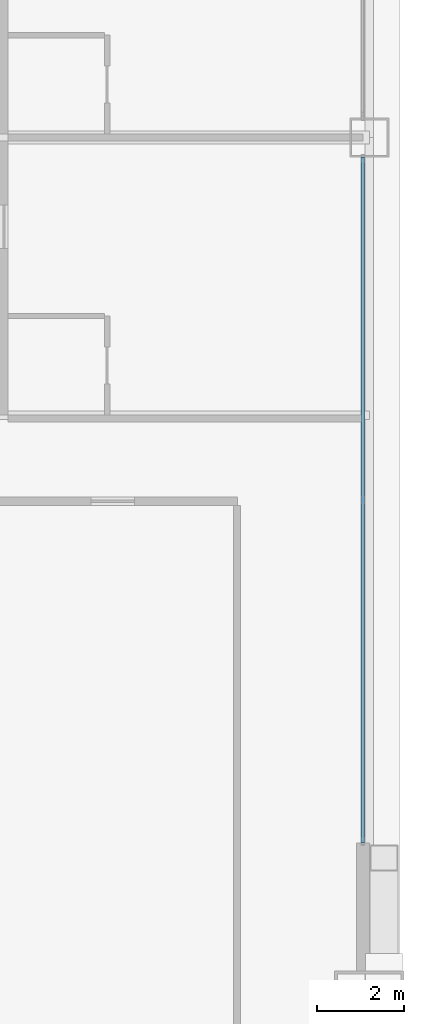
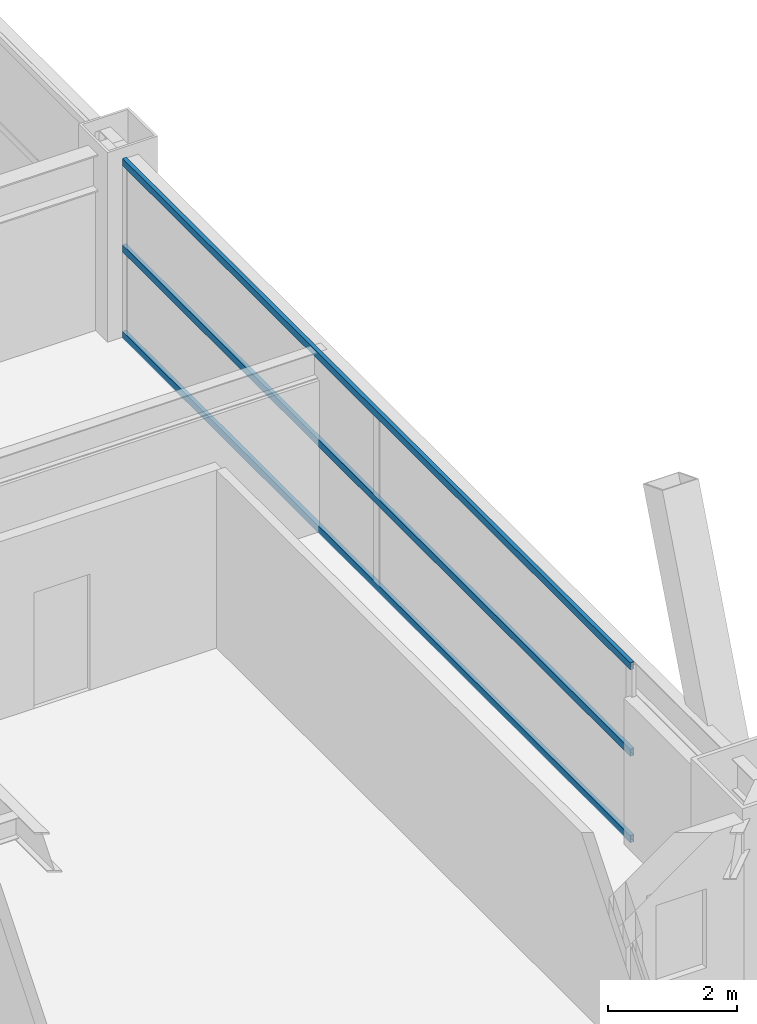
# One storey, part 19 of 41: 3 members, 1 element without a shape of its own.
"""IFC4 building model written with IfcOpenShell, lengths in metres."""

from ifc_helpers import new_model, si_unit, direction, frame, origin, origin_2d, place, context, subcontext, project, spatial, hollow_rectangle, extrude, source, transform, mapped, material, layer, layer_set, material_profile, profile_set, type_object, element, aggregate, save


model = new_model("IFC4")

# Units and contexts
model_context = context("Model", 3, precision=1e-05, world=origin(), true_north=direction((0.0, 1.0)))
body_context = subcontext(model_context, "Body", "Model", "MODEL_VIEW")
ifc_project = project(units=[si_unit("LENGTHUNIT", "METRE"), si_unit("AREAUNIT", "SQUARE_METRE"), si_unit("VOLUMEUNIT", "CUBIC_METRE"), si_unit("PLANEANGLEUNIT", "RADIAN"), si_unit("MASSUNIT", "GRAM", prefix="KILO"), si_unit("THERMODYNAMICTEMPERATUREUNIT", "KELVIN"), si_unit("POWERUNIT", "WATT")], contexts=[model_context])

# Site, building, storey
site_placement = place(None, origin())
site = spatial("IfcSite", under=ifc_project, at=site_placement, CompositionType="ELEMENT")
building_placement = place(site_placement, origin())
building = spatial("IfcBuilding", under=site, at=building_placement, Name="Yuzanri Waterfront Tower", CompositionType="ELEMENT")
storey_placement = place(building_placement, frame((0.0, 0.0, 115.39990234375)))
storey = spatial("IfcBuildingStorey", under=building, at=storey_placement, Name="L30", CompositionType="ELEMENT", Elevation=115.39990234375)

# Curtain wall, members
ifc_material_1 = material(Name="Anodized Architectural Bronze", Category="metal")
ifc_layer = layer(ifc_material_1, 0.159912109375)
ifc_layer_set = layer_set([ifc_layer], Name="Anodized Architectural Bronze")
curtain_wall_type = type_object("IfcCurtainWallType", Name="Anodized Bronze Hotel Upper-Tier Solar-Control Unitized Curtain Wall 7800", PredefinedType="NOTDEFINED", material=ifc_layer_set)
curtain_wall_placement = place(storey_placement, origin())
curtain_wall = element("IfcCurtainWall", 1, at=curtain_wall_placement, inside=storey, type_object=curtain_wall_type, Name="L30 Curtain Wall CW-L30-EL", PredefinedType="NOTDEFINED")
ifc_material_2 = material(Name="Anodized Architectural Bronze", Category="metal")
ifc_material_profile = material_profile(ifc_material_2, hollow_rectangle(XDim=0.070068359375, YDim=0.135009765625, WallThickness=0.00341796875, at=origin_2d()), Name="CWT 70x135")
ifc_profile_set = profile_set([ifc_material_profile], Name="Anodized Architectural Bronze")
member_type = type_object("IfcMemberType", Name="Anodized Bronze Standard Curtain-Wall Transom 70x135", PredefinedType="USERDEFINED", material=ifc_profile_set)
shared_shape = source(origin(), body_context, "Body", "SweptSolid", [
    extrude(hollow_rectangle(XDim=0.070068359375, YDim=0.135009765625, WallThickness=0.00341796875, at=origin_2d()), origin(), (0.0, 0.0, 1.0), 15.800048828125),
])
member_1_placement = place(storey_placement, frame((60.449951171875, 9.550048828125, 0.050048828125), z_axis=(0.0, 1.0, 0.0), x_axis=(-1.0, 0.0, 0.0)))
member_1 = element("IfcMember", 2, at=member_1_placement, type_object=member_type, Name="CW-L30-EL Transom 1", ObjectType="TRANSOM", PredefinedType="USERDEFINED", context=body_context, shape_type="MappedRepresentation", body=[
    mapped(shared_shape, transform((0.0, 0.0, 0.0), scale=1.0)),
])
member_2_placement = place(storey_placement, frame((60.449951171875, 9.550048828125, 1.690185546875), z_axis=(0.0, 1.0, 0.0), x_axis=(-1.0, 0.0, 0.0)))
member_2 = element("IfcMember", 3, at=member_2_placement, type_object=member_type, Name="CW-L30-EL Transom 2", ObjectType="TRANSOM", PredefinedType="USERDEFINED", context=body_context, shape_type="MappedRepresentation", body=[
    mapped(shared_shape, transform((0.0, 0.0, 0.0), scale=1.0)),
])
member_3_placement = place(storey_placement, frame((60.449951171875, 9.550048828125, 3.330078125), z_axis=(0.0, 1.0, 0.0), x_axis=(-1.0, 0.0, 0.0)))
member_3 = element("IfcMember", 4, at=member_3_placement, type_object=member_type, Name="CW-L30-EL Transom 3", ObjectType="TRANSOM", PredefinedType="USERDEFINED", context=body_context, shape_type="MappedRepresentation", body=[
    mapped(shared_shape, transform((0.0, 0.0, 0.0), scale=1.0)),
])
aggregate(curtain_wall, [member_1, member_2, member_3])

save(model, "model.ifc")
